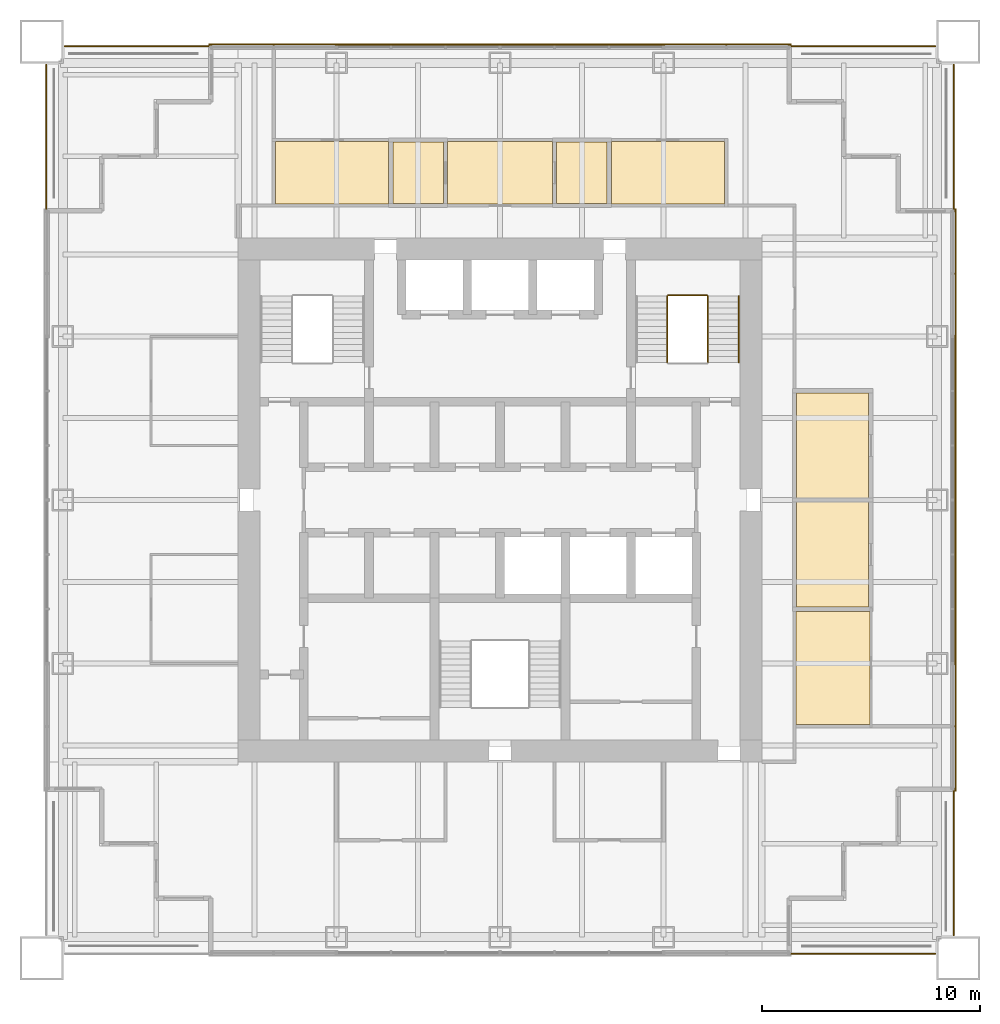
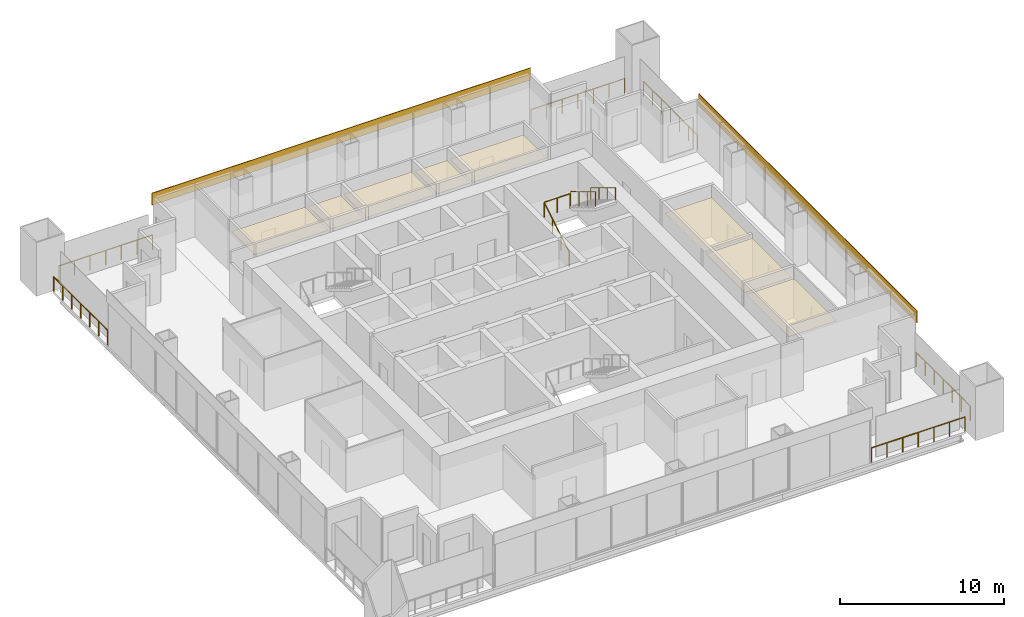
# One storey, part 14 of 14: 10 coverings, 10 railings.
"""IFC4 building model written with IfcOpenShell, lengths in metres."""

from ifc_helpers import new_model, si_unit, direction, frame, origin, origin_2d, place, context, subcontext, project, spatial, polyline, rectangle, circle, outline, extrude, material, layer, layer_set, type_object, element, save


model = new_model("IFC4")

# Units and contexts
model_context = context("Model", 3, precision=1e-05, world=origin(), true_north=direction((0.0, 1.0)))
body_context = subcontext(model_context, "Body", "Model", "MODEL_VIEW")
ifc_project = project(units=[si_unit("LENGTHUNIT", "METRE"), si_unit("AREAUNIT", "SQUARE_METRE"), si_unit("VOLUMEUNIT", "CUBIC_METRE"), si_unit("PLANEANGLEUNIT", "RADIAN"), si_unit("MASSUNIT", "GRAM", prefix="KILO")], contexts=[model_context])

# Site, building, storey
site_placement = place(None, origin())
site = spatial("IfcSite", under=ifc_project, at=site_placement, CompositionType="ELEMENT")
building_placement = place(site_placement, origin())
building = spatial("IfcBuilding", under=site, at=building_placement, Name="Tarangal Relay Tower", CompositionType="ELEMENT")
storey_placement = place(building_placement, frame((0.0, 0.0, 323.89990234375)))
storey = spatial("IfcBuildingStorey", under=building, at=storey_placement, Name="L72", CompositionType="ELEMENT", Elevation=323.89990234375)

# Coverings
ifc_material_1 = material(Name="Black anodised aluminium cladding", Category="aluminium")
ifc_layer_1 = layer(ifc_material_1, 0.050048828125)
ifc_layer_set_1 = layer_set([ifc_layer_1], Name="Black metal spandrel band")
covering_type_1 = type_object("IfcCoveringType", Name="Black metal spandrel band", PredefinedType="CLADDING", material=ifc_layer_set_1)
for number, where, z_axis, x_axis, name in (
    (1, (0.0, 20.875, 3.250244140625), (0.0, 0.0, 1.0), (1.0, 0.0, 0.0), "Spandrel band SB1 N L72"),
    (2, (20.875, 0.0, 3.250244140625), (0.0, 0.0, 1.0), (0.0, -1.0, 0.0), "Spandrel band SB1 E L72"),
):
    element("IfcCovering", number, at=place(storey_placement, frame(where, z_axis=z_axis, x_axis=x_axis)), inside=storey, type_object=covering_type_1, Name=name, PredefinedType="CLADDING", context=body_context, shape_type="SweptSolid", body=[
        extrude(rectangle(XDim=26.699951171875, YDim=0.050048828125, at=origin_2d()), origin(), (0.0, 0.0, 1.0), 0.89990234375),
    ])

# Railings
ifc_material_2 = material(Name="Steel guard, black finish", Category="steel")
railing_type_1 = type_object("IfcRailingType", Name="Stair guard 1100", PredefinedType="GUARDRAIL", material=ifc_material_2)
railing_1_placement = place(storey_placement, frame((7.669921875, 6.300048828125, 0.166748046875)))
element("IfcRailing", 3, at=railing_1_placement, inside=storey, type_object=railing_type_1, Name="Stair ST-B guard GR1 L72 flight 1", PredefinedType="GUARDRAIL", context=body_context, shape_type="SweptSolid", body=[
    extrude(circle(Radius=0.02392578125, at=origin_2d()), frame((0.0, 0.0, 1.076171875), z_axis=(0.0, 0.85685617095, 0.515555527858), x_axis=(-1.0, 0.0, 0.0)), (0.0, 0.0, 1.0), 3.555908203125),
    extrude(circle(Radius=0.02099609375, at=origin_2d()), origin(), (0.0, 0.0, 1.0), 1.052001953125),
    extrude(circle(Radius=0.02099609375, at=origin_2d()), frame((0.0, 1.015625, 0.611083984375)), (0.0, 0.0, 1.0), 1.052001953125),
    extrude(circle(Radius=0.02099609375, at=origin_2d()), frame((0.0, 2.03125, 1.22216796875)), (0.0, 0.0, 1.0), 1.052001953125),
    extrude(circle(Radius=0.02099609375, at=origin_2d()), frame((0.0, 3.046875, 1.833251953125)), (0.0, 0.0, 1.0), 1.052001953125),
])
railing_2_placement = place(storey_placement, frame((9.530029296875, 9.346923828125, 2.166748046875)))
element("IfcRailing", 4, at=railing_2_placement, inside=storey, type_object=railing_type_1, Name="Stair ST-B guard GR1 L72 flight 2", PredefinedType="GUARDRAIL", context=body_context, shape_type="SweptSolid", body=[
    extrude(circle(Radius=0.02392578125, at=origin_2d()), frame((0.0, 0.0, 1.076171875), z_axis=(0.0, -0.85685617095, 0.515555527858), x_axis=(1.0, 0.0, 0.0)), (0.0, 0.0, 1.0), 3.555908203125),
    extrude(circle(Radius=0.02099609375, at=origin_2d()), origin(), (0.0, 0.0, 1.0), 1.052001953125),
    extrude(circle(Radius=0.02099609375, at=origin_2d()), frame((0.0, -1.015625, 0.611083984375)), (0.0, 0.0, 1.0), 1.052001953125),
    extrude(circle(Radius=0.02099609375, at=origin_2d()), frame((0.0, -2.03125, 1.22216796875)), (0.0, 0.0, 1.0), 1.052001953125),
    extrude(circle(Radius=0.02099609375, at=origin_2d()), frame((0.0, -3.046875, 1.833251953125)), (0.0, 0.0, 1.0), 1.052001953125),
])
railing_3_placement = place(storey_placement, frame((7.699951171875, 9.376953125, 2.0)))
element("IfcRailing", 5, at=railing_3_placement, inside=storey, type_object=railing_type_1, Name="Stair ST-B landing guard GR1 L72", PredefinedType="GUARDRAIL", context=body_context, shape_type="SweptSolid", body=[
    extrude(circle(Radius=0.02392578125, at=origin_2d()), frame((0.0, 0.0, 1.076171875), z_axis=(1.0, 0.0, 0.0), x_axis=(0.0, 1.0, 0.0)), (0.0, 0.0, 1.0), 1.800048828125),
    extrude(circle(Radius=0.02099609375, at=origin_2d()), origin(), (0.0, 0.0, 1.0), 1.052001953125),
    extrude(circle(Radius=0.02099609375, at=origin_2d()), frame((0.89990234375, 0.0, 0.0)), (0.0, 0.0, 1.0), 1.052001953125),
    extrude(circle(Radius=0.02099609375, at=origin_2d()), frame((1.800048828125, 0.0, 0.0)), (0.0, 0.0, 1.0), 1.052001953125),
])
ifc_material_3 = material(Name="Steel handrail, black finish", Category="steel")
railing_type_2 = type_object("IfcRailingType", Name="Stair handrail 900", PredefinedType="HANDRAIL", material=ifc_material_3)
railing_4_placement = place(storey_placement, frame((10.93994140625, 9.346923828125, 2.166748046875)))
element("IfcRailing", 6, at=railing_4_placement, inside=storey, type_object=railing_type_2, Name="Stair ST-B handrail HR1 L72 flight 2", PredefinedType="HANDRAIL", context=body_context, shape_type="SweptSolid", body=[
    extrude(circle(Radius=0.02392578125, at=origin_2d()), frame((0.0, 0.0, 0.8759765625), z_axis=(0.0, -0.85685617095, 0.515555527858), x_axis=(1.0, 0.0, 0.0)), (0.0, 0.0, 1.0), 3.555908203125),
    extrude(circle(Radius=0.02099609375, at=origin_2d()), origin(), (0.0, 0.0, 1.0), 0.851806640625),
    extrude(circle(Radius=0.02099609375, at=origin_2d()), frame((0.0, -1.015625, 0.611083984375)), (0.0, 0.0, 1.0), 0.851806640625),
    extrude(circle(Radius=0.02099609375, at=origin_2d()), frame((0.0, -2.03125, 1.22216796875)), (0.0, 0.0, 1.0), 0.851806640625),
    extrude(circle(Radius=0.02099609375, at=origin_2d()), frame((0.0, -3.046875, 1.833251953125)), (0.0, 0.0, 1.0), 0.851806640625),
])

# Coverings
ifc_material_4 = material(Name="Mineral fibre ceiling tiles", Category="gypsum")
ifc_layer_2 = layer(ifc_material_4, 0.02001953125)
ifc_layer_set_2 = layer_set([ifc_layer_2], Name="Suspended ceiling")
covering_type_2 = type_object("IfcCoveringType", Name="Suspended ceiling", PredefinedType="CEILING", material=ifc_layer_set_2)
covering_1_placement = place(storey_placement, frame((0.0, 0.0, 2.900146484375)))
element("IfcCovering", 7, at=covering_1_placement, inside=storey, type_object=covering_type_2, Name="Suspended ceiling CL1 L72-02", PredefinedType="CEILING", context=body_context, shape_type="SweptSolid", body=[
    extrude(outline(polyline([(-5.10009765625, 13.574951171875), (-5.10009765625, 16.425048828125), (-10.300048828125, 16.425048828125), (-10.300048828125, 13.574951171875), (-5.10009765625, 13.574951171875)])), origin(), (0.0, 0.0, 1.0), 0.02001953125),
])
covering_2_placement = place(storey_placement, frame((0.0, 0.0, 2.900146484375)))
element("IfcCovering", 8, at=covering_2_placement, inside=storey, type_object=covering_type_2, Name="Suspended ceiling CL1 L72-03", PredefinedType="CEILING", context=body_context, shape_type="SweptSolid", body=[
    extrude(outline(polyline([(-4.89990234375, 16.39990234375), (-4.89990234375, 13.60009765625), (-2.60009765625, 13.60009765625), (-2.60009765625, 16.39990234375), (-4.89990234375, 16.39990234375)])), origin(), (0.0, 0.0, 1.0), 0.02001953125),
])
covering_3_placement = place(storey_placement, frame((0.0, 0.0, 2.900146484375)))
element("IfcCovering", 9, at=covering_3_placement, inside=storey, type_object=covering_type_2, Name="Suspended ceiling CL1 L72-04", PredefinedType="CEILING", context=body_context, shape_type="SweptSolid", body=[
    extrude(outline(polyline([(-2.39990234375, 16.425048828125), (-2.39990234375, 13.574951171875), (2.39990234375, 13.574951171875), (2.39990234375, 16.425048828125), (-2.39990234375, 16.425048828125)])), origin(), (0.0, 0.0, 1.0), 0.02001953125),
])
covering_4_placement = place(storey_placement, frame((0.0, 0.0, 2.900146484375)))
element("IfcCovering", 10, at=covering_4_placement, inside=storey, type_object=covering_type_2, Name="Suspended ceiling CL1 L72-05", PredefinedType="CEILING", context=body_context, shape_type="SweptSolid", body=[
    extrude(outline(polyline([(2.60009765625, 16.39990234375), (2.60009765625, 13.60009765625), (4.89990234375, 13.60009765625), (4.89990234375, 16.39990234375), (2.60009765625, 16.39990234375)])), origin(), (0.0, 0.0, 1.0), 0.02001953125),
])
covering_5_placement = place(storey_placement, frame((0.0, 0.0, 2.900146484375)))
element("IfcCovering", 11, at=covering_5_placement, inside=storey, type_object=covering_type_2, Name="Suspended ceiling CL1 L72-06", PredefinedType="CEILING", context=body_context, shape_type="SweptSolid", body=[
    extrude(outline(polyline([(10.300048828125, 16.425048828125), (5.10009765625, 16.425048828125), (5.10009765625, 13.574951171875), (10.300048828125, 13.574951171875), (10.300048828125, 16.425048828125)])), origin(), (0.0, 0.0, 1.0), 0.02001953125),
])
covering_6_placement = place(storey_placement, frame((0.0, 0.0, 2.900146484375)))
element("IfcCovering", 12, at=covering_6_placement, inside=storey, type_object=covering_type_2, Name="Suspended ceiling CL1 L72-07", PredefinedType="CEILING", context=body_context, shape_type="SweptSolid", body=[
    extrude(outline(polyline([(16.89990234375, 0.10009765625), (16.89990234375, 4.89990234375), (13.60009765625, 4.89990234375), (13.60009765625, 0.10009765625), (16.89990234375, 0.10009765625)])), origin(), (0.0, 0.0, 1.0), 0.02001953125),
])
covering_7_placement = place(storey_placement, frame((0.0, 0.0, 2.900146484375)))
element("IfcCovering", 13, at=covering_7_placement, inside=storey, type_object=covering_type_2, Name="Suspended ceiling CL1 L72-08", PredefinedType="CEILING", context=body_context, shape_type="SweptSolid", body=[
    extrude(outline(polyline([(13.60009765625, -4.89990234375), (16.89990234375, -4.89990234375), (16.89990234375, -0.10009765625), (13.60009765625, -0.10009765625), (13.60009765625, -4.89990234375)])), origin(), (0.0, 0.0, 1.0), 0.02001953125),
])
covering_8_placement = place(storey_placement, frame((0.0, 0.0, 2.900146484375)))
element("IfcCovering", 14, at=covering_8_placement, inside=storey, type_object=covering_type_2, Name="Suspended ceiling CL1 L72-09", PredefinedType="CEILING", context=body_context, shape_type="SweptSolid", body=[
    extrude(outline(polyline([(13.574951171875, -5.10009765625), (13.574951171875, -10.300048828125), (16.949951171875, -10.300048828125), (16.949951171875, -5.10009765625), (13.574951171875, -5.10009765625)])), origin(), (0.0, 0.0, 1.0), 0.02001953125),
])

# Railings
ifc_material_5 = material(Name="Black steel guard with glass infill", Category="steel")
railing_type_3 = type_object("IfcRailingType", Name="Terrace guard 1100", PredefinedType="GUARDRAIL", material=ifc_material_5)
railing_5_placement = place(storey_placement, frame((13.35009765625, 20.800048828125, 0.0)))
element("IfcRailing", 15, at=railing_5_placement, inside=storey, type_object=railing_type_3, Name="Terrace guard GR2 NE L72", PredefinedType="GUARDRAIL", context=body_context, shape_type="SweptSolid", body=[
    extrude(circle(Radius=0.02392578125, at=origin_2d()), frame((0.0, 0.0, 1.076171875), z_axis=(1.0, 0.0, 0.0), x_axis=(0.0, 1.0, 0.0)), (0.0, 0.0, 1.0), 6.599853515625),
    extrude(circle(Radius=0.02099609375, at=origin_2d()), origin(), (0.0, 0.0, 1.0), 1.052001953125),
    extrude(circle(Radius=0.02099609375, at=origin_2d()), frame((1.10009765625, 0.0, 0.0)), (0.0, 0.0, 1.0), 1.052001953125),
    extrude(circle(Radius=0.02099609375, at=origin_2d()), frame((2.199951171875, 0.0, 0.0)), (0.0, 0.0, 1.0), 1.052001953125),
    extrude(circle(Radius=0.02099609375, at=origin_2d()), frame((3.2998046875, 0.0, 0.0)), (0.0, 0.0, 1.0), 1.052001953125),
    extrude(circle(Radius=0.02099609375, at=origin_2d()), frame((4.39990234375, 0.0, 0.0)), (0.0, 0.0, 1.0), 1.052001953125),
    extrude(circle(Radius=0.02099609375, at=origin_2d()), frame((5.5, 0.0, 0.0)), (0.0, 0.0, 1.0), 1.052001953125),
    extrude(circle(Radius=0.02099609375, at=origin_2d()), frame((6.599853515625, 0.0, 0.0)), (0.0, 0.0, 1.0), 1.052001953125),
])
for number, where, name in (
    (16, (20.800048828125, 19.949951171875, 0.0), "Terrace guard GR2 NE L72"),
    (17, (20.800048828125, -13.35009765625, 0.0), "Terrace guard GR2 SE L72"),
):
    element("IfcRailing", number, at=place(storey_placement, frame(where)), inside=storey, type_object=railing_type_3, Name=name, PredefinedType="GUARDRAIL", context=body_context, shape_type="SweptSolid", body=[
        extrude(circle(Radius=0.02392578125, at=origin_2d()), frame((0.0, 0.0, 1.076171875), z_axis=(0.0, -1.0, 0.0), x_axis=(1.0, 0.0, 0.0)), (0.0, 0.0, 1.0), 6.599853515625),
        extrude(circle(Radius=0.02099609375, at=origin_2d()), origin(), (0.0, 0.0, 1.0), 1.052001953125),
        extrude(circle(Radius=0.02099609375, at=origin_2d()), frame((0.0, -1.10009765625, 0.0)), (0.0, 0.0, 1.0), 1.052001953125),
        extrude(circle(Radius=0.02099609375, at=origin_2d()), frame((0.0, -2.199951171875, 0.0)), (0.0, 0.0, 1.0), 1.052001953125),
        extrude(circle(Radius=0.02099609375, at=origin_2d()), frame((0.0, -3.2998046875, 0.0)), (0.0, 0.0, 1.0), 1.052001953125),
        extrude(circle(Radius=0.02099609375, at=origin_2d()), frame((0.0, -4.39990234375, 0.0)), (0.0, 0.0, 1.0), 1.052001953125),
        extrude(circle(Radius=0.02099609375, at=origin_2d()), frame((0.0, -5.5, 0.0)), (0.0, 0.0, 1.0), 1.052001953125),
        extrude(circle(Radius=0.02099609375, at=origin_2d()), frame((0.0, -6.599853515625, 0.0)), (0.0, 0.0, 1.0), 1.052001953125),
    ])
railing_6_placement = place(storey_placement, frame((19.949951171875, -20.800048828125, 0.0)))
element("IfcRailing", 18, at=railing_6_placement, inside=storey, type_object=railing_type_3, Name="Terrace guard GR2 SE L72", PredefinedType="GUARDRAIL", context=body_context, shape_type="SweptSolid", body=[
    extrude(circle(Radius=0.02392578125, at=origin_2d()), frame((0.0, 0.0, 1.076171875), z_axis=(-1.0, 0.0, 0.0), x_axis=(0.0, -1.0, 0.0)), (0.0, 0.0, 1.0), 6.599853515625),
    extrude(circle(Radius=0.02099609375, at=origin_2d()), origin(), (0.0, 0.0, 1.0), 1.052001953125),
    extrude(circle(Radius=0.02099609375, at=origin_2d()), frame((-1.10009765625, 0.0, 0.0)), (0.0, 0.0, 1.0), 1.052001953125),
    extrude(circle(Radius=0.02099609375, at=origin_2d()), frame((-2.199951171875, 0.0, 0.0)), (0.0, 0.0, 1.0), 1.052001953125),
    extrude(circle(Radius=0.02099609375, at=origin_2d()), frame((-3.2998046875, 0.0, 0.0)), (0.0, 0.0, 1.0), 1.052001953125),
    extrude(circle(Radius=0.02099609375, at=origin_2d()), frame((-4.39990234375, 0.0, 0.0)), (0.0, 0.0, 1.0), 1.052001953125),
    extrude(circle(Radius=0.02099609375, at=origin_2d()), frame((-5.5, 0.0, 0.0)), (0.0, 0.0, 1.0), 1.052001953125),
    extrude(circle(Radius=0.02099609375, at=origin_2d()), frame((-6.599853515625, 0.0, 0.0)), (0.0, 0.0, 1.0), 1.052001953125),
])
railing_7_placement = place(storey_placement, frame((-20.800048828125, 13.35009765625, 0.0)))
element("IfcRailing", 19, at=railing_7_placement, inside=storey, type_object=railing_type_3, Name="Terrace guard GR2 NW L72", PredefinedType="GUARDRAIL", context=body_context, shape_type="SweptSolid", body=[
    extrude(circle(Radius=0.02392578125, at=origin_2d()), frame((0.0, 0.0, 1.076171875), z_axis=(0.0, 1.0, 0.0), x_axis=(-1.0, 0.0, 0.0)), (0.0, 0.0, 1.0), 6.599853515625),
    extrude(circle(Radius=0.02099609375, at=origin_2d()), origin(), (0.0, 0.0, 1.0), 1.052001953125),
    extrude(circle(Radius=0.02099609375, at=origin_2d()), frame((0.0, 1.10009765625, 0.0)), (0.0, 0.0, 1.0), 1.052001953125),
    extrude(circle(Radius=0.02099609375, at=origin_2d()), frame((0.0, 2.199951171875, 0.0)), (0.0, 0.0, 1.0), 1.052001953125),
    extrude(circle(Radius=0.02099609375, at=origin_2d()), frame((0.0, 3.2998046875, 0.0)), (0.0, 0.0, 1.0), 1.052001953125),
    extrude(circle(Radius=0.02099609375, at=origin_2d()), frame((0.0, 4.39990234375, 0.0)), (0.0, 0.0, 1.0), 1.052001953125),
    extrude(circle(Radius=0.02099609375, at=origin_2d()), frame((0.0, 5.5, 0.0)), (0.0, 0.0, 1.0), 1.052001953125),
    extrude(circle(Radius=0.02099609375, at=origin_2d()), frame((0.0, 6.599853515625, 0.0)), (0.0, 0.0, 1.0), 1.052001953125),
])
railing_8_placement = place(storey_placement, frame((-19.949951171875, 20.800048828125, 0.0)))
element("IfcRailing", 20, at=railing_8_placement, inside=storey, type_object=railing_type_3, Name="Terrace guard GR2 NW L72", PredefinedType="GUARDRAIL", context=body_context, shape_type="SweptSolid", body=[
    extrude(circle(Radius=0.02392578125, at=origin_2d()), frame((0.0, 0.0, 1.076171875), z_axis=(1.0, 0.0, 0.0), x_axis=(0.0, 1.0, 0.0)), (0.0, 0.0, 1.0), 6.599853515625),
    extrude(circle(Radius=0.02099609375, at=origin_2d()), origin(), (0.0, 0.0, 1.0), 1.052001953125),
    extrude(circle(Radius=0.02099609375, at=origin_2d()), frame((1.10009765625, 0.0, 0.0)), (0.0, 0.0, 1.0), 1.052001953125),
    extrude(circle(Radius=0.02099609375, at=origin_2d()), frame((2.199951171875, 0.0, 0.0)), (0.0, 0.0, 1.0), 1.052001953125),
    extrude(circle(Radius=0.02099609375, at=origin_2d()), frame((3.2998046875, 0.0, 0.0)), (0.0, 0.0, 1.0), 1.052001953125),
    extrude(circle(Radius=0.02099609375, at=origin_2d()), frame((4.39990234375, 0.0, 0.0)), (0.0, 0.0, 1.0), 1.052001953125),
    extrude(circle(Radius=0.02099609375, at=origin_2d()), frame((5.5, 0.0, 0.0)), (0.0, 0.0, 1.0), 1.052001953125),
    extrude(circle(Radius=0.02099609375, at=origin_2d()), frame((6.599853515625, 0.0, 0.0)), (0.0, 0.0, 1.0), 1.052001953125),
])

save(model, "model.ifc")
